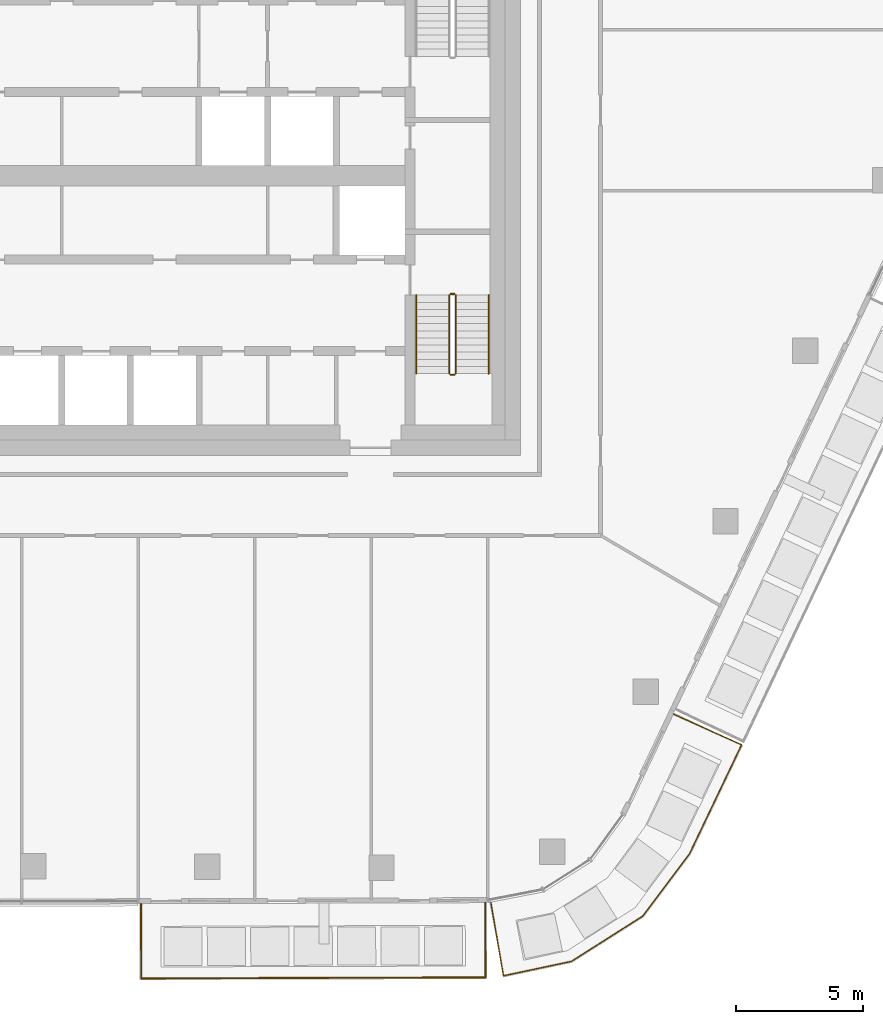
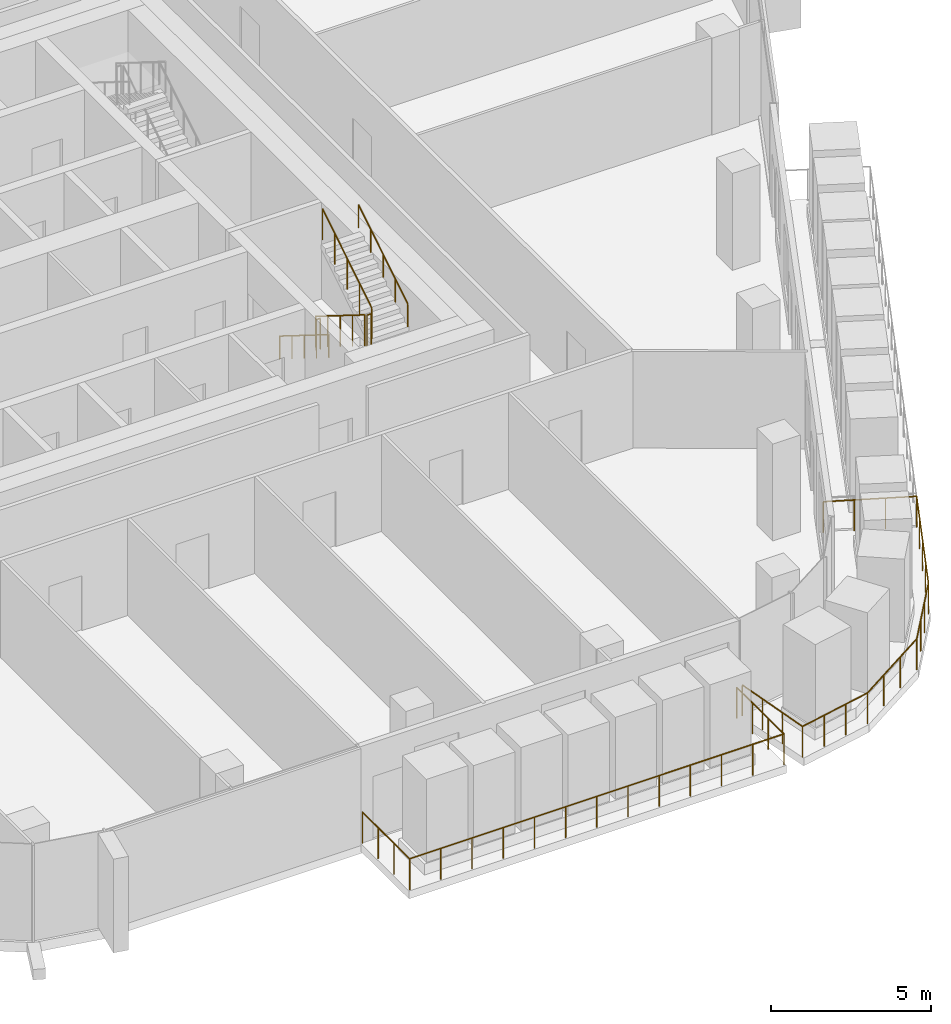
# One storey, part 20 of 24: 8 railings.
"""IFC4 building model written with IfcOpenShell, lengths in metres."""

from ifc_helpers import new_model, si_unit, direction, frame, origin, origin_2d, place, context, subcontext, project, spatial, circle, extrude, material, type_object, element, save


model = new_model("IFC4")

# Units and contexts
model_context = context("Model", 3, precision=1e-05, world=origin(), true_north=direction((0.0, 1.0)))
body_context = subcontext(model_context, "Body", "Model", "MODEL_VIEW")
ifc_project = project(units=[si_unit("LENGTHUNIT", "METRE"), si_unit("AREAUNIT", "SQUARE_METRE"), si_unit("VOLUMEUNIT", "CUBIC_METRE"), si_unit("PLANEANGLEUNIT", "RADIAN"), si_unit("MASSUNIT", "GRAM", prefix="KILO")], contexts=[model_context])

# Site, building, storey
site_placement = place(None, origin())
site = spatial("IfcSite", under=ifc_project, at=site_placement, CompositionType="ELEMENT")
building_placement = place(site_placement, origin())
building = spatial("IfcBuilding", under=site, at=building_placement, Name="Dongbaek Canopy Tower", CompositionType="ELEMENT")
storey_placement = place(building_placement, frame((0.0, 0.0, 348.800048828125)))
storey = spatial("IfcBuildingStorey", under=building, at=storey_placement, Name="L75", CompositionType="ELEMENT", Elevation=348.800048828125)

# Railings
ifc_material_1 = material(Name="Stainless steel", Category="steel")
railing_type_1 = type_object("IfcRailingType", Name="Balcony balustrade 1200", PredefinedType="BALUSTRADE", material=ifc_material_1)
railing_1_placement = place(storey_placement, frame((-0.93212890625, -28.645263671875, 0.0)))
element("IfcRailing", 1, at=railing_1_placement, inside=storey, type_object=railing_type_1, Name="Balcony guard L75 4", PredefinedType="BALUSTRADE", context=body_context, shape_type="SweptSolid", body=[
    extrude(circle(Radius=0.02392578125, at=origin_2d()), frame((0.0, 0.0, 1.17578125), z_axis=(0.003072564802, -0.999995279662, 0.0), x_axis=(0.999995279662, 0.003072564802, 0.0)), (0.0, 0.0, 1.0), 2.93994140625),
    extrude(circle(Radius=0.02392578125, at=origin_2d()), frame((0.009033203125, -2.93994140625, 1.17578125), z_axis=(0.999995307334, 0.00306354548, 0.0), x_axis=(-0.00306354548, 0.999995307334, 0.0)), (0.0, 0.0, 1.0), 13.547607421875),
    extrude(circle(Radius=0.02392578125, at=origin_2d()), frame((13.556640625, -2.8984375, 1.17578125), z_axis=(-0.003072564802, 0.999995279662, 0.0), x_axis=(-0.999995279662, -0.003072564802, 0.0)), (0.0, 0.0, 1.0), 2.93994140625),
    extrude(circle(Radius=0.02099609375, at=origin_2d()), origin(), (0.0, 0.0, 1.0), 1.15185546875),
    extrude(circle(Radius=0.02099609375, at=origin_2d()), frame((0.0029296875, -0.97998046875, 0.0)), (0.0, 0.0, 1.0), 1.15185546875),
    extrude(circle(Radius=0.02099609375, at=origin_2d()), frame((0.006103515625, -1.9599609375, 0.0)), (0.0, 0.0, 1.0), 1.15185546875),
    extrude(circle(Radius=0.02099609375, at=origin_2d()), frame((0.009033203125, -2.93994140625, 0.0)), (0.0, 0.0, 1.0), 1.15185546875),
    extrude(circle(Radius=0.02099609375, at=origin_2d()), frame((1.137939453125, -2.9365234375, 0.0)), (0.0, 0.0, 1.0), 1.15185546875),
    extrude(circle(Radius=0.02099609375, at=origin_2d()), frame((2.26708984375, -2.93310546875, 0.0)), (0.0, 0.0, 1.0), 1.15185546875),
    extrude(circle(Radius=0.02099609375, at=origin_2d()), frame((3.39599609375, -2.9296875, 0.0)), (0.0, 0.0, 1.0), 1.15185546875),
    extrude(circle(Radius=0.02099609375, at=origin_2d()), frame((4.52490234375, -2.926025390625, 0.0)), (0.0, 0.0, 1.0), 1.15185546875),
    extrude(circle(Radius=0.02099609375, at=origin_2d()), frame((5.65380859375, -2.922607421875, 0.0)), (0.0, 0.0, 1.0), 1.15185546875),
    extrude(circle(Radius=0.02099609375, at=origin_2d()), frame((6.78271484375, -2.919189453125, 0.0)), (0.0, 0.0, 1.0), 1.15185546875),
    extrude(circle(Radius=0.02099609375, at=origin_2d()), frame((7.911865234375, -2.915771484375, 0.0)), (0.0, 0.0, 1.0), 1.15185546875),
    extrude(circle(Radius=0.02099609375, at=origin_2d()), frame((9.040771484375, -2.912353515625, 0.0)), (0.0, 0.0, 1.0), 1.15185546875),
    extrude(circle(Radius=0.02099609375, at=origin_2d()), frame((10.169677734375, -2.90869140625, 0.0)), (0.0, 0.0, 1.0), 1.15185546875),
    extrude(circle(Radius=0.02099609375, at=origin_2d()), frame((11.298828125, -2.9052734375, 0.0)), (0.0, 0.0, 1.0), 1.15185546875),
    extrude(circle(Radius=0.02099609375, at=origin_2d()), frame((12.427734375, -2.90185546875, 0.0)), (0.0, 0.0, 1.0), 1.15185546875),
    extrude(circle(Radius=0.02099609375, at=origin_2d()), frame((13.556640625, -2.8984375, 0.0)), (0.0, 0.0, 1.0), 1.15185546875),
    extrude(circle(Radius=0.02099609375, at=origin_2d()), frame((13.5537109375, -1.91845703125, 0.0)), (0.0, 0.0, 1.0), 1.15185546875),
    extrude(circle(Radius=0.02099609375, at=origin_2d()), frame((13.550537109375, -0.9384765625, 0.0)), (0.0, 0.0, 1.0), 1.15185546875),
    extrude(circle(Radius=0.02099609375, at=origin_2d()), frame((13.547607421875, 0.04150390625, 0.0)), (0.0, 0.0, 1.0), 1.15185546875),
])
railing_2_placement = place(storey_placement, frame((12.83349609375, -28.58251953125, 0.0)))
element("IfcRailing", 2, at=railing_2_placement, inside=storey, type_object=railing_type_1, Name="Balcony guard L75 8", PredefinedType="BALUSTRADE", context=body_context, shape_type="SweptSolid", body=[
    extrude(circle(Radius=0.02392578125, at=origin_2d()), frame((0.0, 0.0, 1.17578125), z_axis=(0.169284113414, -0.985567292957, 0.0), x_axis=(0.985567292957, 0.169284113414, 0.0)), (0.0, 0.0, 1.0), 2.940673828125),
    extrude(circle(Radius=0.02392578125, at=origin_2d()), frame((0.497802734375, -2.898193359375, 1.17578125), z_axis=(0.978169285546, 0.207809645624, 0.0), x_axis=(-0.207809645624, 0.978169285546, 0.0)), (0.0, 0.0, 1.0), 2.735107421875),
    extrude(circle(Radius=0.02392578125, at=origin_2d()), frame((3.173095703125, -2.329833984375, 1.17578125), z_axis=(0.844294363637, 0.535879676356, 0.0), x_axis=(-0.535879676356, 0.844294363637, 0.0)), (0.0, 0.0, 1.0), 3.33251953125),
    extrude(circle(Radius=0.02392578125, at=origin_2d()), frame((5.98681640625, -0.5439453125, 1.17578125), z_axis=(0.599578655963, 0.800315834726, 0.0), x_axis=(-0.800315834726, 0.599578655963, 0.0)), (0.0, 0.0, 1.0), 3.06005859375),
    extrude(circle(Radius=0.02392578125, at=origin_2d()), frame((7.821533203125, 1.905029296875, 1.17578125), z_axis=(0.430966385628, 0.902367981734, 0.0), x_axis=(-0.902367981734, 0.430966385628, 0.0)), (0.0, 0.0, 1.0), 4.751708984375),
    extrude(circle(Radius=0.02392578125, at=origin_2d()), frame((9.869384765625, 6.19287109375, 1.17578125), z_axis=(-0.912067467549, 0.410040162227, 0.0), x_axis=(-0.410040162227, -0.912067467549, 0.0)), (0.0, 0.0, 1.0), 2.940673828125),
    extrude(circle(Radius=0.02099609375, at=origin_2d()), origin(), (0.0, 0.0, 1.0), 1.15185546875),
    extrude(circle(Radius=0.02099609375, at=origin_2d()), frame((0.166015625, -0.966064453125, 0.0)), (0.0, 0.0, 1.0), 1.15185546875),
    extrude(circle(Radius=0.02099609375, at=origin_2d()), frame((0.331787109375, -1.93212890625, 0.0)), (0.0, 0.0, 1.0), 1.15185546875),
    extrude(circle(Radius=0.02099609375, at=origin_2d()), frame((0.497802734375, -2.898193359375, 0.0)), (0.0, 0.0, 1.0), 1.15185546875),
    extrude(circle(Radius=0.02099609375, at=origin_2d()), frame((1.3896484375, -2.708740234375, 0.0)), (0.0, 0.0, 1.0), 1.15185546875),
    extrude(circle(Radius=0.02099609375, at=origin_2d()), frame((2.28125, -2.519287109375, 0.0)), (0.0, 0.0, 1.0), 1.15185546875),
    extrude(circle(Radius=0.02099609375, at=origin_2d()), frame((3.173095703125, -2.329833984375, 0.0)), (0.0, 0.0, 1.0), 1.15185546875),
    extrude(circle(Radius=0.02099609375, at=origin_2d()), frame((4.111083984375, -1.734619140625, 0.0)), (0.0, 0.0, 1.0), 1.15185546875),
    extrude(circle(Radius=0.02099609375, at=origin_2d()), frame((5.048828125, -1.13916015625, 0.0)), (0.0, 0.0, 1.0), 1.15185546875),
    extrude(circle(Radius=0.02099609375, at=origin_2d()), frame((5.98681640625, -0.5439453125, 0.0)), (0.0, 0.0, 1.0), 1.15185546875),
    extrude(circle(Radius=0.02099609375, at=origin_2d()), frame((6.598388671875, 0.2724609375, 0.0)), (0.0, 0.0, 1.0), 1.15185546875),
    extrude(circle(Radius=0.02099609375, at=origin_2d()), frame((7.2099609375, 1.088623046875, 0.0)), (0.0, 0.0, 1.0), 1.15185546875),
    extrude(circle(Radius=0.02099609375, at=origin_2d()), frame((7.821533203125, 1.905029296875, 0.0)), (0.0, 0.0, 1.0), 1.15185546875),
    extrude(circle(Radius=0.02099609375, at=origin_2d()), frame((8.33349609375, 2.97705078125, 0.0)), (0.0, 0.0, 1.0), 1.15185546875),
    extrude(circle(Radius=0.02099609375, at=origin_2d()), frame((8.845458984375, 4.048828125, 0.0)), (0.0, 0.0, 1.0), 1.15185546875),
    extrude(circle(Radius=0.02099609375, at=origin_2d()), frame((9.357421875, 5.120849609375, 0.0)), (0.0, 0.0, 1.0), 1.15185546875),
    extrude(circle(Radius=0.02099609375, at=origin_2d()), frame((9.869384765625, 6.19287109375, 0.0)), (0.0, 0.0, 1.0), 1.15185546875),
    extrude(circle(Radius=0.02099609375, at=origin_2d()), frame((8.975341796875, 6.5947265625, 0.0)), (0.0, 0.0, 1.0), 1.15185546875),
    extrude(circle(Radius=0.02099609375, at=origin_2d()), frame((8.081298828125, 6.996826171875, 0.0)), (0.0, 0.0, 1.0), 1.15185546875),
    extrude(circle(Radius=0.02099609375, at=origin_2d()), frame((7.187255859375, 7.398681640625, 0.0)), (0.0, 0.0, 1.0), 1.15185546875),
])
ifc_material_2 = material(Name="Stainless steel tube and balusters", Category="steel")
railing_type_2 = type_object("IfcRailingType", Name="Stair guard 1200", PredefinedType="GUARDRAIL", material=ifc_material_2)
railing_3_placement = place(storey_placement, frame((11.199951171875, -4.699951171875, 0.175048828125)))
element("IfcRailing", 3, at=railing_3_placement, inside=storey, type_object=railing_type_2, Name="L75 ST-B stair guard 1", PredefinedType="GUARDRAIL", context=body_context, shape_type="SweptSolid", body=[
    extrude(circle(Radius=0.02392578125, at=origin_2d()), frame((0.0, 0.0, 1.17578125), z_axis=(0.0, -0.848028513186, 0.529950602248), x_axis=(1.0, 0.0, 0.0)), (0.0, 0.0, 1.0), 3.632080078125),
    extrude(circle(Radius=0.02099609375, at=origin_2d()), origin(), (0.0, 0.0, 1.0), 1.15185546875),
    extrude(circle(Radius=0.02099609375, at=origin_2d()), frame((0.0, -0.77001953125, 0.481201171875)), (0.0, 0.0, 1.0), 1.15185546875),
    extrude(circle(Radius=0.02099609375, at=origin_2d()), frame((0.0, -1.5400390625, 0.96240234375)), (0.0, 0.0, 1.0), 1.15185546875),
    extrude(circle(Radius=0.02099609375, at=origin_2d()), frame((0.0, -2.31005859375, 1.443603515625)), (0.0, 0.0, 1.0), 1.15185546875),
    extrude(circle(Radius=0.02099609375, at=origin_2d()), frame((0.0, -3.080078125, 1.9248046875)), (0.0, 0.0, 1.0), 1.15185546875),
])
railing_4_placement = place(storey_placement, frame((11.25, -7.830078125, 2.099853515625)))
element("IfcRailing", 4, at=railing_4_placement, inside=storey, type_object=railing_type_2, Name="L75 ST-B stair guard 2", PredefinedType="GUARDRAIL", context=body_context, shape_type="SweptSolid", body=[
    extrude(circle(Radius=0.02392578125, at=origin_2d()), frame((0.0, 0.0, 1.17578125), z_axis=(1.0, 0.0, 0.0), x_axis=(0.0, 1.0, 0.0)), (0.0, 0.0, 1.0), 0.14990234375),
    extrude(circle(Radius=0.02099609375, at=origin_2d()), origin(), (0.0, 0.0, 1.0), 1.15185546875),
    extrude(circle(Radius=0.02099609375, at=origin_2d()), frame((0.14990234375, 0.0, 0.0)), (0.0, 0.0, 1.0), 1.15185546875),
])
railing_5_placement = place(storey_placement, frame((11.449951171875, -7.780029296875, 2.27490234375)))
element("IfcRailing", 5, at=railing_5_placement, inside=storey, type_object=railing_type_2, Name="L75 ST-B stair guard 3", PredefinedType="GUARDRAIL", context=body_context, shape_type="SweptSolid", body=[
    extrude(circle(Radius=0.02392578125, at=origin_2d()), frame((0.0, 0.0, 1.17578125), z_axis=(0.0, 0.847998304005, 0.529998940003), x_axis=(-1.0, 0.0, 0.0)), (0.0, 0.0, 1.0), 3.632080078125),
    extrude(circle(Radius=0.02099609375, at=origin_2d()), origin(), (0.0, 0.0, 1.0), 1.15185546875),
    extrude(circle(Radius=0.02099609375, at=origin_2d()), frame((0.0, 0.77001953125, 0.481201171875)), (0.0, 0.0, 1.0), 1.15185546875),
    extrude(circle(Radius=0.02099609375, at=origin_2d()), frame((0.0, 1.5400390625, 0.96240234375)), (0.0, 0.0, 1.0), 1.15185546875),
    extrude(circle(Radius=0.02099609375, at=origin_2d()), frame((0.0, 2.31005859375, 1.44384765625)), (0.0, 0.0, 1.0), 1.15185546875),
    extrude(circle(Radius=0.02099609375, at=origin_2d()), frame((0.0, 3.080078125, 1.925048828125)), (0.0, 0.0, 1.0), 1.15185546875),
])
railing_6_placement = place(storey_placement, frame((11.25, -4.64990234375, 0.0)))
element("IfcRailing", 6, at=railing_6_placement, inside=storey, type_object=railing_type_2, Name="L75 ST-B stair guard 4", PredefinedType="GUARDRAIL", context=body_context, shape_type="SweptSolid", body=[
    extrude(circle(Radius=0.02392578125, at=origin_2d()), frame((0.0, 0.0, 1.17578125), z_axis=(1.0, 0.0, 0.0), x_axis=(0.0, 1.0, 0.0)), (0.0, 0.0, 1.0), 0.14990234375),
    extrude(circle(Radius=0.02099609375, at=origin_2d()), origin(), (0.0, 0.0, 1.0), 1.15185546875),
    extrude(circle(Radius=0.02099609375, at=origin_2d()), frame((0.14990234375, 0.0, 0.0)), (0.0, 0.0, 1.0), 1.15185546875),
])
ifc_material_3 = material(Name="Stainless steel tube", Category="steel")
railing_type_3 = type_object("IfcRailingType", Name="Stair handrail 900", PredefinedType="HANDRAIL", material=ifc_material_3)
railing_7_placement = place(storey_placement, frame((9.89990234375, -4.699951171875, 0.175048828125)))
element("IfcRailing", 7, at=railing_7_placement, inside=storey, type_object=railing_type_3, Name="L75 ST-B stair handrail 1", PredefinedType="HANDRAIL", context=body_context, shape_type="SweptSolid", body=[
    extrude(circle(Radius=0.02392578125, at=origin_2d()), frame((0.0, 0.0, 0.8759765625), z_axis=(0.0, -0.848028513186, 0.529950602248), x_axis=(1.0, 0.0, 0.0)), (0.0, 0.0, 1.0), 3.632080078125),
    extrude(circle(Radius=0.02099609375, at=origin_2d()), origin(), (0.0, 0.0, 1.0), 0.851806640625),
    extrude(circle(Radius=0.02099609375, at=origin_2d()), frame((0.0, -0.77001953125, 0.481201171875)), (0.0, 0.0, 1.0), 0.851806640625),
    extrude(circle(Radius=0.02099609375, at=origin_2d()), frame((0.0, -1.5400390625, 0.96240234375)), (0.0, 0.0, 1.0), 0.851806640625),
    extrude(circle(Radius=0.02099609375, at=origin_2d()), frame((0.0, -2.31005859375, 1.443603515625)), (0.0, 0.0, 1.0), 0.851806640625),
    extrude(circle(Radius=0.02099609375, at=origin_2d()), frame((0.0, -3.080078125, 1.9248046875)), (0.0, 0.0, 1.0), 0.851806640625),
])
railing_8_placement = place(storey_placement, frame((12.75, -7.780029296875, 2.27490234375)))
element("IfcRailing", 8, at=railing_8_placement, inside=storey, type_object=railing_type_3, Name="L75 ST-B stair handrail 2", PredefinedType="HANDRAIL", context=body_context, shape_type="SweptSolid", body=[
    extrude(circle(Radius=0.02392578125, at=origin_2d()), frame((0.0, 0.0, 0.8759765625), z_axis=(0.0, 0.847998304005, 0.529998940003), x_axis=(-1.0, 0.0, 0.0)), (0.0, 0.0, 1.0), 3.632080078125),
    extrude(circle(Radius=0.02099609375, at=origin_2d()), origin(), (0.0, 0.0, 1.0), 0.851806640625),
    extrude(circle(Radius=0.02099609375, at=origin_2d()), frame((0.0, 0.77001953125, 0.481201171875)), (0.0, 0.0, 1.0), 0.851806640625),
    extrude(circle(Radius=0.02099609375, at=origin_2d()), frame((0.0, 1.5400390625, 0.96240234375)), (0.0, 0.0, 1.0), 0.851806640625),
    extrude(circle(Radius=0.02099609375, at=origin_2d()), frame((0.0, 2.31005859375, 1.44384765625)), (0.0, 0.0, 1.0), 0.851806640625),
    extrude(circle(Radius=0.02099609375, at=origin_2d()), frame((0.0, 3.080078125, 1.925048828125)), (0.0, 0.0, 1.0), 0.851806640625),
])

save(model, "model.ifc")
